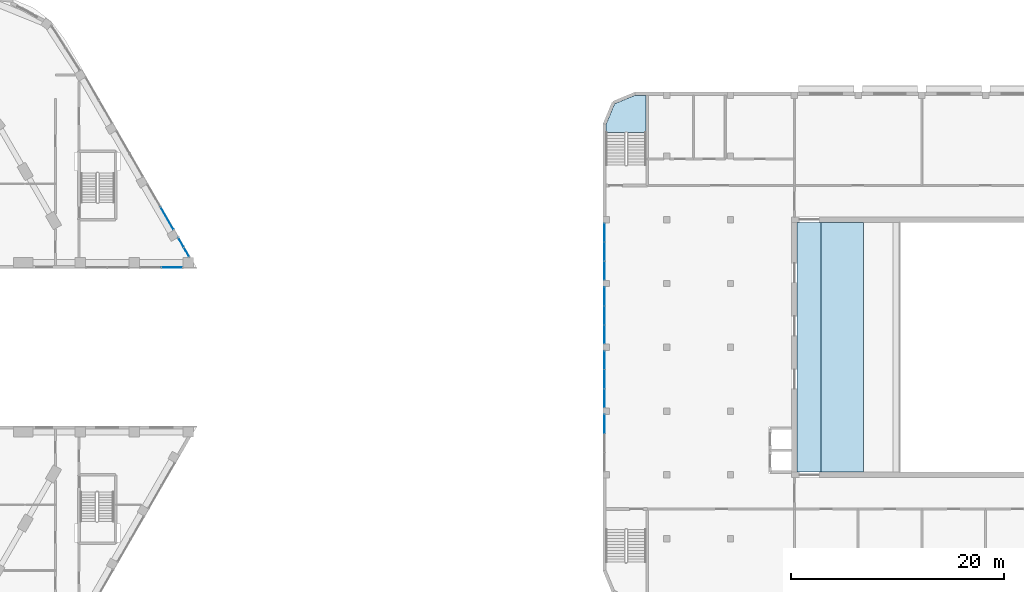
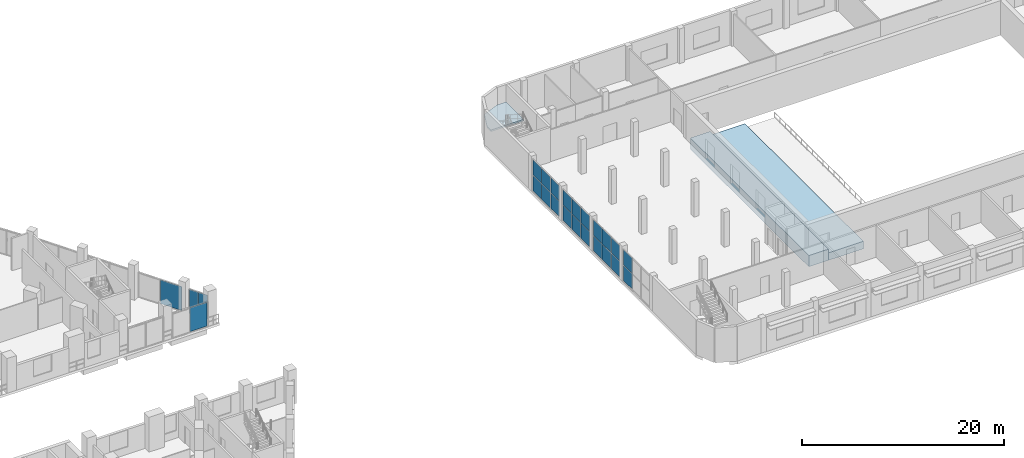
# One storey, part 11 of 45: 24 plates, 3 slabs, 8 elements without a shape of their own.
"""IFC4 building model written with IfcOpenShell, lengths in metres."""

from ifc_helpers import new_model, si_unit, direction, frame, origin, origin_2d, place, context, subcontext, project, spatial, polyline, rectangle, outline, extrude, material, layer, layer_set, type_object, element, aggregate, save


model = new_model("IFC4")

# Units and contexts
model_context = context("Model", 3, precision=1e-05, world=origin(), true_north=direction((0.0, 1.0)))
body_context = subcontext(model_context, "Body", "Model", "MODEL_VIEW")
ifc_project = project(units=[si_unit("LENGTHUNIT", "METRE"), si_unit("AREAUNIT", "SQUARE_METRE"), si_unit("VOLUMEUNIT", "CUBIC_METRE"), si_unit("PLANEANGLEUNIT", "RADIAN"), si_unit("MASSUNIT", "GRAM", prefix="KILO")], contexts=[model_context])

# Site, building, storey
site_placement = place(None, origin())
site = spatial("IfcSite", under=ifc_project, at=site_placement, CompositionType="ELEMENT")
building_placement = place(site_placement, origin())
building = spatial("IfcBuilding", under=site, at=building_placement, Name="Nakaniwa Court", CompositionType="ELEMENT")
storey_placement = place(building_placement, frame((0.0, 0.0, 11.39990234375)))
storey = spatial("IfcBuildingStorey", under=building, at=storey_placement, Name="L02", CompositionType="ELEMENT", Elevation=11.39990234375)

# Curtain wall, plates
ifc_material_1 = material(Name="Dark low-E laminated glass in black aluminium frame", Category="aluminium")
ifc_layer_1 = layer(ifc_material_1, 0.159912109375)
ifc_layer_set_1 = layer_set([ifc_layer_1], Name="Dark low-E laminated glass in black aluminium frame")
curtain_wall_type_1 = type_object("IfcCurtainWallType", Name="Hall foyer curtain wall CW6", PredefinedType="NOTDEFINED", material=ifc_layer_set_1)
curtain_wall_1_placement = place(storey_placement, origin())
curtain_wall_1 = element("IfcCurtainWall", 1, at=curtain_wall_1_placement, inside=storey, type_object=curtain_wall_type_1, Name="Foyer curtain wall L02:003", PredefinedType="NOTDEFINED")
ifc_material_2 = material(Name="Dark low-E laminated double glazing", Category="glass")
ifc_layer_2 = layer(ifc_material_2, 0.028076171875)
ifc_layer_set_2 = layer_set([ifc_layer_2], Name="Dark low-E laminated double glazing")
plate_type_1 = type_object("IfcPlateType", Name="Curtain wall glass panel 28", PredefinedType="CURTAIN_PANEL", material=ifc_layer_set_2)
plate_1_placement = place(storey_placement, frame((152.14990234375, 72.784912109375, 0.06005859375), z_axis=(0.0, 0.0, 1.0), x_axis=(0.0, 1.0, 0.0)))
plate_1 = element("IfcPlate", 2, at=plate_1_placement, type_object=plate_type_1, Name="HCW-05 panel 3.1", PredefinedType="CURTAIN_PANEL", context=body_context, shape_type="SweptSolid", body=[
    extrude(rectangle(XDim=1.7099609375, YDim=0.028076171875, at=origin_2d()), origin(), (0.0, 0.0, 1.0), 1.8349609375),
])
plate_2_placement = place(storey_placement, frame((152.14990234375, 72.784912109375, 1.955078125), z_axis=(0.0, 0.0, 1.0), x_axis=(0.0, 1.0, 0.0)))
plate_2 = element("IfcPlate", 3, at=plate_2_placement, type_object=plate_type_1, Name="HCW-05 panel 3.2", PredefinedType="CURTAIN_PANEL", context=body_context, shape_type="SweptSolid", body=[
    extrude(rectangle(XDim=1.7099609375, YDim=0.028076171875, at=origin_2d()), origin(), (0.0, 0.0, 1.0), 1.8349609375),
])
aggregate(curtain_wall_1, [plate_1, plate_2])

curtain_wall_2_placement = place(storey_placement, origin())
curtain_wall_2 = element("IfcCurtainWall", 4, at=curtain_wall_2_placement, inside=storey, type_object=curtain_wall_type_1, Name="Foyer curtain wall L02:004", PredefinedType="NOTDEFINED")
plate_3_placement = place(storey_placement, frame((152.14990234375, 75.215087890625, 0.06005859375), z_axis=(0.0, 0.0, 1.0), x_axis=(0.0, 1.0, 0.0)))
plate_3 = element("IfcPlate", 5, at=plate_3_placement, type_object=plate_type_1, Name="HCW-06 panel 1.1", PredefinedType="CURTAIN_PANEL", context=body_context, shape_type="SweptSolid", body=[
    extrude(rectangle(XDim=1.7099609375, YDim=0.028076171875, at=origin_2d()), origin(), (0.0, 0.0, 1.0), 1.8349609375),
])
plate_4_placement = place(storey_placement, frame((152.14990234375, 75.215087890625, 1.955078125), z_axis=(0.0, 0.0, 1.0), x_axis=(0.0, 1.0, 0.0)))
plate_4 = element("IfcPlate", 6, at=plate_4_placement, type_object=plate_type_1, Name="HCW-06 panel 1.2", PredefinedType="CURTAIN_PANEL", context=body_context, shape_type="SweptSolid", body=[
    extrude(rectangle(XDim=1.7099609375, YDim=0.028076171875, at=origin_2d()), origin(), (0.0, 0.0, 1.0), 1.8349609375),
])
plate_5_placement = place(storey_placement, frame((152.14990234375, 77.0, 0.06005859375), z_axis=(0.0, 0.0, 1.0), x_axis=(0.0, 1.0, 0.0)))
plate_5 = element("IfcPlate", 7, at=plate_5_placement, type_object=plate_type_1, Name="HCW-06 panel 2.1", PredefinedType="CURTAIN_PANEL", context=body_context, shape_type="SweptSolid", body=[
    extrude(rectangle(XDim=1.739990234375, YDim=0.028076171875, at=origin_2d()), origin(), (0.0, 0.0, 1.0), 1.8349609375),
])
plate_6_placement = place(storey_placement, frame((152.14990234375, 77.0, 1.955078125), z_axis=(0.0, 0.0, 1.0), x_axis=(0.0, 1.0, 0.0)))
plate_6 = element("IfcPlate", 8, at=plate_6_placement, type_object=plate_type_1, Name="HCW-06 panel 2.2", PredefinedType="CURTAIN_PANEL", context=body_context, shape_type="SweptSolid", body=[
    extrude(rectangle(XDim=1.739990234375, YDim=0.028076171875, at=origin_2d()), origin(), (0.0, 0.0, 1.0), 1.8349609375),
])
plate_7_placement = place(storey_placement, frame((152.14990234375, 78.784912109375, 0.06005859375), z_axis=(0.0, 0.0, 1.0), x_axis=(0.0, 1.0, 0.0)))
plate_7 = element("IfcPlate", 9, at=plate_7_placement, type_object=plate_type_1, Name="HCW-06 panel 3.1", PredefinedType="CURTAIN_PANEL", context=body_context, shape_type="SweptSolid", body=[
    extrude(rectangle(XDim=1.7099609375, YDim=0.028076171875, at=origin_2d()), origin(), (0.0, 0.0, 1.0), 1.8349609375),
])
plate_8_placement = place(storey_placement, frame((152.14990234375, 78.784912109375, 1.955078125), z_axis=(0.0, 0.0, 1.0), x_axis=(0.0, 1.0, 0.0)))
plate_8 = element("IfcPlate", 10, at=plate_8_placement, type_object=plate_type_1, Name="HCW-06 panel 3.2", PredefinedType="CURTAIN_PANEL", context=body_context, shape_type="SweptSolid", body=[
    extrude(rectangle(XDim=1.7099609375, YDim=0.028076171875, at=origin_2d()), origin(), (0.0, 0.0, 1.0), 1.8349609375),
])
aggregate(curtain_wall_2, [plate_3, plate_4, plate_5, plate_6, plate_7, plate_8])

curtain_wall_3_placement = place(storey_placement, origin())
curtain_wall_3 = element("IfcCurtainWall", 11, at=curtain_wall_3_placement, inside=storey, type_object=curtain_wall_type_1, Name="Foyer curtain wall L02:005", PredefinedType="NOTDEFINED")
plate_9_placement = place(storey_placement, frame((152.14990234375, 81.215087890625, 0.06005859375), z_axis=(0.0, 0.0, 1.0), x_axis=(0.0, 1.0, 0.0)))
plate_9 = element("IfcPlate", 12, at=plate_9_placement, type_object=plate_type_1, Name="HCW-07 panel 1.1", PredefinedType="CURTAIN_PANEL", context=body_context, shape_type="SweptSolid", body=[
    extrude(rectangle(XDim=1.7099609375, YDim=0.028076171875, at=origin_2d()), origin(), (0.0, 0.0, 1.0), 1.8349609375),
])
plate_10_placement = place(storey_placement, frame((152.14990234375, 81.215087890625, 1.955078125), z_axis=(0.0, 0.0, 1.0), x_axis=(0.0, 1.0, 0.0)))
plate_10 = element("IfcPlate", 13, at=plate_10_placement, type_object=plate_type_1, Name="HCW-07 panel 1.2", PredefinedType="CURTAIN_PANEL", context=body_context, shape_type="SweptSolid", body=[
    extrude(rectangle(XDim=1.7099609375, YDim=0.028076171875, at=origin_2d()), origin(), (0.0, 0.0, 1.0), 1.8349609375),
])
plate_11_placement = place(storey_placement, frame((152.14990234375, 83.0, 0.06005859375), z_axis=(0.0, 0.0, 1.0), x_axis=(0.0, 1.0, 0.0)))
plate_11 = element("IfcPlate", 14, at=plate_11_placement, type_object=plate_type_1, Name="HCW-07 panel 2.1", PredefinedType="CURTAIN_PANEL", context=body_context, shape_type="SweptSolid", body=[
    extrude(rectangle(XDim=1.739990234375, YDim=0.028076171875, at=origin_2d()), origin(), (0.0, 0.0, 1.0), 1.8349609375),
])
plate_12_placement = place(storey_placement, frame((152.14990234375, 83.0, 1.955078125), z_axis=(0.0, 0.0, 1.0), x_axis=(0.0, 1.0, 0.0)))
plate_12 = element("IfcPlate", 15, at=plate_12_placement, type_object=plate_type_1, Name="HCW-07 panel 2.2", PredefinedType="CURTAIN_PANEL", context=body_context, shape_type="SweptSolid", body=[
    extrude(rectangle(XDim=1.739990234375, YDim=0.028076171875, at=origin_2d()), origin(), (0.0, 0.0, 1.0), 1.8349609375),
])
plate_13_placement = place(storey_placement, frame((152.14990234375, 84.784912109375, 0.06005859375), z_axis=(0.0, 0.0, 1.0), x_axis=(0.0, 1.0, 0.0)))
plate_13 = element("IfcPlate", 16, at=plate_13_placement, type_object=plate_type_1, Name="HCW-07 panel 3.1", PredefinedType="CURTAIN_PANEL", context=body_context, shape_type="SweptSolid", body=[
    extrude(rectangle(XDim=1.7099609375, YDim=0.028076171875, at=origin_2d()), origin(), (0.0, 0.0, 1.0), 1.8349609375),
])
plate_14_placement = place(storey_placement, frame((152.14990234375, 84.784912109375, 1.955078125), z_axis=(0.0, 0.0, 1.0), x_axis=(0.0, 1.0, 0.0)))
plate_14 = element("IfcPlate", 17, at=plate_14_placement, type_object=plate_type_1, Name="HCW-07 panel 3.2", PredefinedType="CURTAIN_PANEL", context=body_context, shape_type="SweptSolid", body=[
    extrude(rectangle(XDim=1.7099609375, YDim=0.028076171875, at=origin_2d()), origin(), (0.0, 0.0, 1.0), 1.8349609375),
])
aggregate(curtain_wall_3, [plate_9, plate_10, plate_11, plate_12, plate_13, plate_14])

curtain_wall_4_placement = place(storey_placement, origin())
curtain_wall_4 = element("IfcCurtainWall", 18, at=curtain_wall_4_placement, inside=storey, type_object=curtain_wall_type_1, Name="Foyer curtain wall L02:006", PredefinedType="NOTDEFINED")
plate_15_placement = place(storey_placement, frame((152.14990234375, 87.215087890625, 0.06005859375), z_axis=(0.0, 0.0, 1.0), x_axis=(0.0, 1.0, 0.0)))
plate_15 = element("IfcPlate", 19, at=plate_15_placement, type_object=plate_type_1, Name="HCW-08 panel 1.1", PredefinedType="CURTAIN_PANEL", context=body_context, shape_type="SweptSolid", body=[
    extrude(rectangle(XDim=1.7099609375, YDim=0.028076171875, at=origin_2d()), origin(), (0.0, 0.0, 1.0), 1.8349609375),
])
plate_16_placement = place(storey_placement, frame((152.14990234375, 87.215087890625, 1.955078125), z_axis=(0.0, 0.0, 1.0), x_axis=(0.0, 1.0, 0.0)))
plate_16 = element("IfcPlate", 20, at=plate_16_placement, type_object=plate_type_1, Name="HCW-08 panel 1.2", PredefinedType="CURTAIN_PANEL", context=body_context, shape_type="SweptSolid", body=[
    extrude(rectangle(XDim=1.7099609375, YDim=0.028076171875, at=origin_2d()), origin(), (0.0, 0.0, 1.0), 1.8349609375),
])
plate_17_placement = place(storey_placement, frame((152.14990234375, 89.0, 0.06005859375), z_axis=(0.0, 0.0, 1.0), x_axis=(0.0, 1.0, 0.0)))
plate_17 = element("IfcPlate", 21, at=plate_17_placement, type_object=plate_type_1, Name="HCW-08 panel 2.1", PredefinedType="CURTAIN_PANEL", context=body_context, shape_type="SweptSolid", body=[
    extrude(rectangle(XDim=1.739990234375, YDim=0.028076171875, at=origin_2d()), origin(), (0.0, 0.0, 1.0), 1.8349609375),
])
plate_18_placement = place(storey_placement, frame((152.14990234375, 89.0, 1.955078125), z_axis=(0.0, 0.0, 1.0), x_axis=(0.0, 1.0, 0.0)))
plate_18 = element("IfcPlate", 22, at=plate_18_placement, type_object=plate_type_1, Name="HCW-08 panel 2.2", PredefinedType="CURTAIN_PANEL", context=body_context, shape_type="SweptSolid", body=[
    extrude(rectangle(XDim=1.739990234375, YDim=0.028076171875, at=origin_2d()), origin(), (0.0, 0.0, 1.0), 1.8349609375),
])
plate_19_placement = place(storey_placement, frame((152.14990234375, 90.784912109375, 0.06005859375), z_axis=(0.0, 0.0, 1.0), x_axis=(0.0, 1.0, 0.0)))
plate_19 = element("IfcPlate", 23, at=plate_19_placement, type_object=plate_type_1, Name="HCW-08 panel 3.1", PredefinedType="CURTAIN_PANEL", context=body_context, shape_type="SweptSolid", body=[
    extrude(rectangle(XDim=1.7099609375, YDim=0.028076171875, at=origin_2d()), origin(), (0.0, 0.0, 1.0), 1.8349609375),
])
plate_20_placement = place(storey_placement, frame((152.14990234375, 90.784912109375, 1.955078125), z_axis=(0.0, 0.0, 1.0), x_axis=(0.0, 1.0, 0.0)))
plate_20 = element("IfcPlate", 24, at=plate_20_placement, type_object=plate_type_1, Name="HCW-08 panel 3.2", PredefinedType="CURTAIN_PANEL", context=body_context, shape_type="SweptSolid", body=[
    extrude(rectangle(XDim=1.7099609375, YDim=0.028076171875, at=origin_2d()), origin(), (0.0, 0.0, 1.0), 1.8349609375),
])
aggregate(curtain_wall_4, [plate_15, plate_16, plate_17, plate_18, plate_19, plate_20])

# Stair, slab
ifc_material_3 = material(Name="Concrete C40/50", Category="concrete")
stair_type = type_object("IfcStairType", Name="Hall exit stair 24 risers", PredefinedType="HALF_TURN_STAIR", material=ifc_material_3)
stair_placement = place(storey_placement, origin())
stair = element("IfcStair", 25, at=stair_placement, inside=storey, type_object=stair_type, Name="L02 Exit stair 2", PredefinedType="HALF_TURN_STAIR")
ifc_layer_3 = layer(ifc_material_3, 0.199951171875)
ifc_layer_set_3 = layer_set([ifc_layer_3], Name="Concrete C40/50")
slab_type_1 = type_object("IfcSlabType", Name="Hall stair landing 200", PredefinedType="LANDING", material=ifc_layer_set_3)
slab_1_placement = place(storey_placement, frame((0.0, 0.0, 1.900146484375)))
slab_1 = element("IfcSlab", 26, at=slab_1_placement, type_object=slab_type_1, Name="ST-H2 landing 1", PredefinedType="LANDING", context=body_context, shape_type="SweptSolid", body=[
    extrude(outline(polyline([(156.050048828125, 103.699951171875), (155.0, 103.699951171875), (153.0908203125, 102.9091796875), (152.300048828125, 101.0), (152.300048828125, 100.219970703125), (156.050048828125, 100.219970703125), (156.050048828125, 103.699951171875)])), origin(), (0.0, 0.0, 1.0), 0.199951171875),
])
aggregate(stair, [slab_1])

# Curtain wall, plate
ifc_material_4 = material(Name="Black anodised aluminium frame with dark low-E laminated double glazing", Category="aluminium")
ifc_layer_4 = layer(ifc_material_4, 0.199951171875)
ifc_layer_set_4 = layer_set([ifc_layer_4], Name="Black anodised aluminium frame with dark low-E laminated double glazing")
curtain_wall_type_2 = type_object("IfcCurtainWallType", Name="Podium unitised curtain wall", PredefinedType="NOTDEFINED", material=ifc_layer_set_4)
curtain_wall_5_placement = place(storey_placement, origin())
curtain_wall_5 = element("IfcCurtainWall", 27, at=curtain_wall_5_placement, inside=storey, type_object=curtain_wall_type_2, Name="L02 curtain wall CW1 38", PredefinedType="NOTDEFINED")
ifc_material_5 = material(Name="Dark toughened glass", Category="glass")
ifc_layer_5 = layer(ifc_material_5, 0.008, Name="Outer pane")
ifc_material_6 = material(Name="Argon filled cavity")
ifc_layer_6 = layer(ifc_material_6, 0.016, Name="Cavity")
ifc_material_7 = material(Name="Dark laminated safety glass", Category="glass")
ifc_layer_7 = layer(ifc_material_7, 0.008, Name="Inner pane")
ifc_layer_set_5 = layer_set([ifc_layer_5, ifc_layer_6, ifc_layer_7], Name="Dark low-E laminated double glazing")
plate_type_2 = type_object("IfcPlateType", Name="Podium unitised curtain wall glass panel", PredefinedType="CURTAIN_PANEL", material=ifc_layer_set_5)
plate_21_placement = place(storey_placement, frame((111.4599609375, 87.5, 0.050048828125), z_axis=(0.0, 0.0, 1.0), x_axis=(1.0, 0.0, 0.0)))
plate_21 = element("IfcPlate", 28, at=plate_21_placement, type_object=plate_type_2, Name="CW1 panel 2.1", PredefinedType="CURTAIN_PANEL", context=body_context, shape_type="SweptSolid", body=[
    extrude(rectangle(XDim=1.949951171875, YDim=0.031982421875, at=origin_2d()), origin(), (0.0, 0.0, 1.0), 2.89990234375),
])
aggregate(curtain_wall_5, [plate_21])

# Curtain wall, plates
curtain_wall_6_placement = place(storey_placement, origin())
curtain_wall_6 = element("IfcCurtainWall", 29, at=curtain_wall_6_placement, inside=storey, type_object=curtain_wall_type_2, Name="L02 curtain wall CW1 39", PredefinedType="NOTDEFINED")
plate_22_placement = place(storey_placement, frame((112.82177734375, 88.950927734375, 0.050048828125), z_axis=(0.0, 0.0, 1.0), x_axis=(-0.499982949932, 0.866035247422, 0.0)))
plate_22 = element("IfcPlate", 30, at=plate_22_placement, type_object=plate_type_2, Name="CW1 panel 1.1", PredefinedType="CURTAIN_PANEL", context=body_context, shape_type="SweptSolid", body=[
    extrude(rectangle(XDim=0.97705078125, YDim=0.031982421875, at=origin_2d()), origin(), (0.0, 0.0, 1.0), 2.89990234375),
])
plate_23_placement = place(storey_placement, frame((112.301025390625, 89.853271484375, 0.050048828125), z_axis=(0.0, 0.0, 1.0), x_axis=(-0.499982949932, 0.866035247422, 0.0)))
plate_23 = element("IfcPlate", 31, at=plate_23_placement, type_object=plate_type_2, Name="CW1 panel 2.1", PredefinedType="CURTAIN_PANEL", context=body_context, shape_type="SweptSolid", body=[
    extrude(rectangle(XDim=0.97705078125, YDim=0.031982421875, at=origin_2d()), origin(), (0.0, 0.0, 1.0), 2.89990234375),
])
aggregate(curtain_wall_6, [plate_22, plate_23])

# Curtain wall, plate
curtain_wall_7_placement = place(storey_placement, origin())
curtain_wall_7 = element("IfcCurtainWall", 32, at=curtain_wall_7_placement, inside=storey, type_object=curtain_wall_type_2, Name="L02 curtain wall CW1 40", PredefinedType="NOTDEFINED")
plate_24_placement = place(storey_placement, frame((110.993896484375, 92.1171875, 0.050048828125), z_axis=(0.0, 0.0, 1.0), x_axis=(-0.499987941889, 0.866032365426, 0.0)))
plate_24 = element("IfcPlate", 33, at=plate_24_placement, type_object=plate_type_2, Name="CW1 panel 1.1", PredefinedType="CURTAIN_PANEL", context=body_context, shape_type="SweptSolid", body=[
    extrude(rectangle(XDim=2.40771484375, YDim=0.031982421875, at=origin_2d()), origin(), (0.0, 0.0, 1.0), 2.89990234375),
])
aggregate(curtain_wall_7, [plate_24])

# Slabs
ifc_layer_8 = layer(ifc_material_3, 1.35009765625)
ifc_layer_set_6 = layer_set([ifc_layer_8], Name="Concrete C40/50")
slab_type_2 = type_object("IfcSlabType", Name="Terrace step slab 1350", PredefinedType="FLOOR", material=ifc_layer_set_6)
slab_2_placement = place(storey_placement, frame((0.0, 0.0, -1.349853515625)))
element("IfcSlab", 34, at=slab_2_placement, inside=storey, type_object=slab_type_2, Name="Balcony tier L02 step R3", PredefinedType="FLOOR", context=body_context, shape_type="SweptSolid", body=[
    extrude(outline(polyline([(172.5, 68.25), (172.5, 91.75), (170.25, 91.75), (170.25, 68.25), (172.5, 68.25)])), origin(), (0.0, 0.0, 1.0), 1.349853515625),
])
ifc_layer_9 = layer(ifc_material_3, 0.89990234375)
ifc_layer_set_7 = layer_set([ifc_layer_9], Name="Concrete C40/50")
slab_type_3 = type_object("IfcSlabType", Name="Terrace step slab 900", PredefinedType="FLOOR", material=ifc_layer_set_7)
slab_3_placement = place(storey_placement, frame((0.0, 0.0, -1.349853515625)))
element("IfcSlab", 35, at=slab_3_placement, inside=storey, type_object=slab_type_3, Name="Balcony tier L02 step R2", PredefinedType="FLOOR", context=body_context, shape_type="SweptSolid", body=[
    extrude(outline(polyline([(176.5, 68.25), (176.5, 91.75), (172.5, 91.75), (172.5, 68.25), (176.5, 68.25)])), origin(), (0.0, 0.0, 1.0), 0.89990234375),
])

save(model, "model.ifc")
